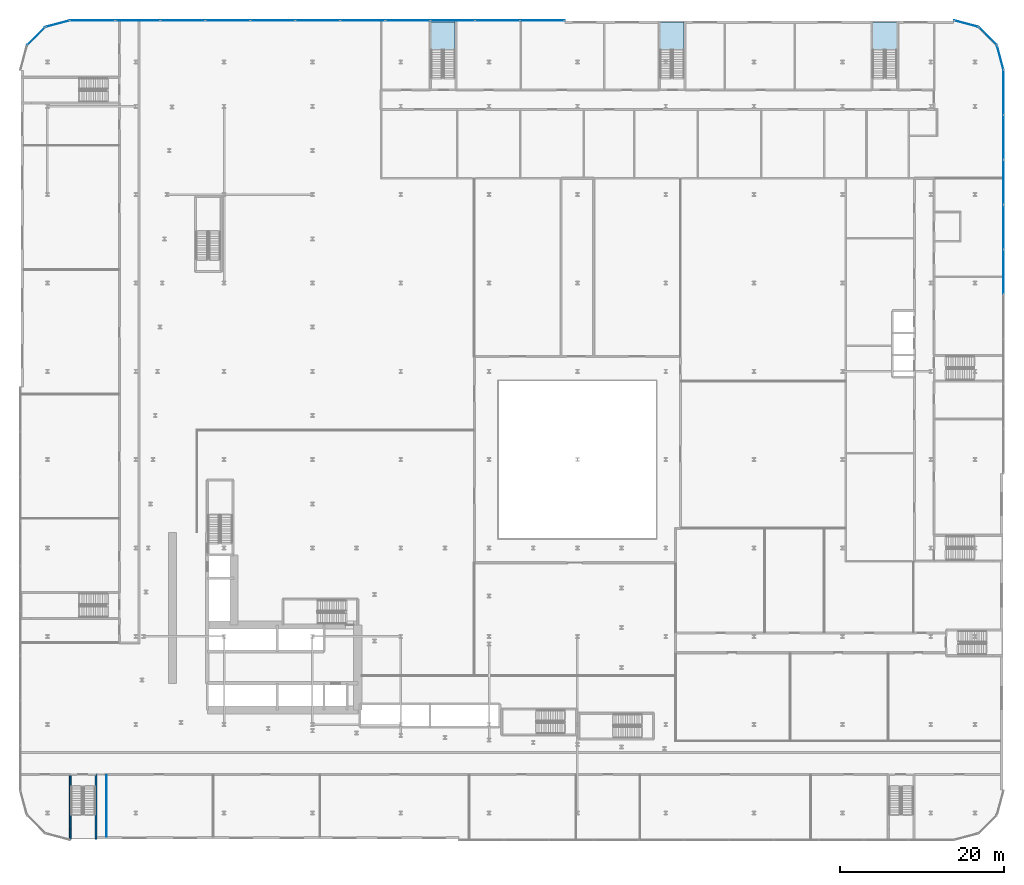
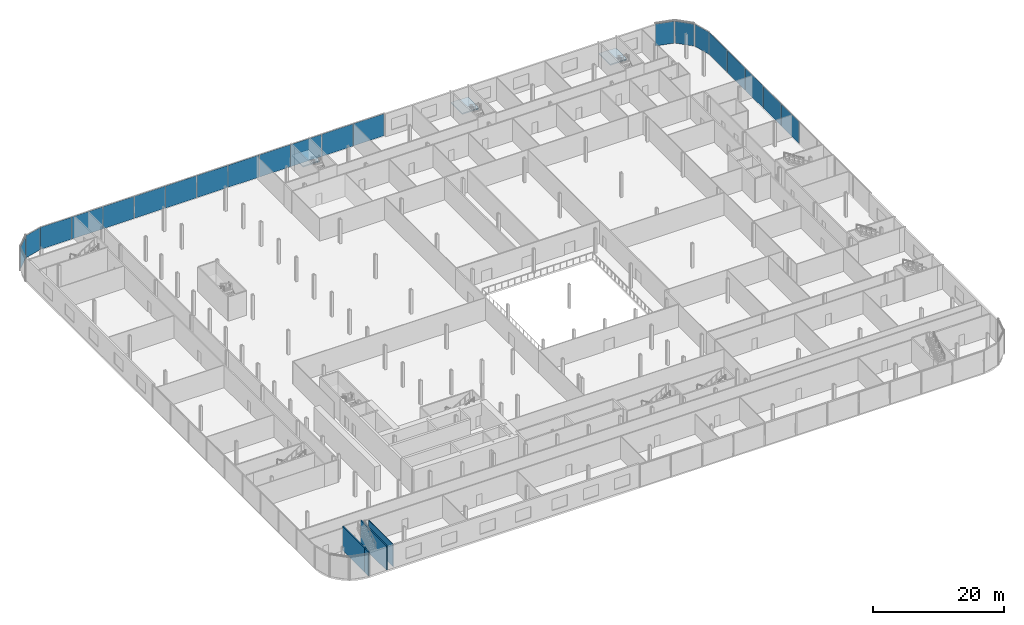
# One storey, part 25 of 47: 21 plates, 4 walls, 3 slabs, 10 elements without a shape of their own.
"""IFC4 building model written with IfcOpenShell, lengths in metres."""

from ifc_helpers import new_model, si_unit, direction, frame, frame_2d, origin, origin_2d, place, context, subcontext, project, spatial, polyline, rectangle, outline, extrude, material, layer, layer_set, type_object, element, aggregate, save


model = new_model("IFC4")

# Units and contexts
model_context = context("Model", 3, precision=1e-05, world=origin(), true_north=direction((0.0, 1.0)))
body_context = subcontext(model_context, "Body", "Model", "MODEL_VIEW")
ifc_project = project(units=[si_unit("LENGTHUNIT", "METRE"), si_unit("AREAUNIT", "SQUARE_METRE"), si_unit("VOLUMEUNIT", "CUBIC_METRE"), si_unit("PLANEANGLEUNIT", "RADIAN"), si_unit("MASSUNIT", "GRAM", prefix="KILO")], contexts=[model_context])

# Site, building, storey
site_placement = place(None, origin())
site = spatial("IfcSite", under=ifc_project, at=site_placement, CompositionType="ELEMENT")
building_placement = place(site_placement, origin())
building = spatial("IfcBuilding", under=site, at=building_placement, Name="Kheshtan School and Residences Tower", CompositionType="ELEMENT")
storey_placement = place(building_placement, frame((0.0, 0.0, 21.5)))
storey = spatial("IfcBuildingStorey", under=building, at=storey_placement, Name="L04", CompositionType="ELEMENT", Elevation=21.5)

# Curtain wall, plate
ifc_material_1 = material(Name="Clear low-e glass in thermally broken aluminium frame", Category="aluminium")
ifc_layer_1 = layer(ifc_material_1, 0.22509765625)
ifc_layer_set_1 = layer_set([ifc_layer_1], Name="Curtain wall CW-P")
curtain_wall_type = type_object("IfcCurtainWallType", Name="Curtain wall CW-P", PredefinedType="NOTDEFINED", material=ifc_layer_set_1)
curtain_wall_1_placement = place(storey_placement, origin())
curtain_wall_1 = element("IfcCurtainWall", 1, at=curtain_wall_1_placement, inside=storey, type_object=curtain_wall_type, Name="Curtain wall CWP2a", PredefinedType="NOTDEFINED")
ifc_layer_2 = layer(ifc_material_1, 0.035888671875)
ifc_layer_set_2 = layer_set([ifc_layer_2], Name="CW-P glass panel")
plate_type = type_object("IfcPlateType", Name="CW-P glass panel", PredefinedType="CURTAIN_PANEL", material=ifc_layer_set_2)
plate_1_placement = place(storey_placement, frame((13.831298828125, 108.168701171875, 0.0), z_axis=(0.0, 0.0, 1.0), x_axis=(0.707106781187, 0.707106781187, 0.0)))
plate_1 = element("IfcPlate", 2, at=plate_1_placement, type_object=plate_type, Name="CWP2a panel 1.1", PredefinedType="CURTAIN_PANEL", context=body_context, shape_type="SweptSolid", body=[
    extrude(rectangle(XDim=2.985595703125, YDim=0.035888671875, at=origin_2d()), origin(), (0.0, 0.0, 1.0), 4.110107421875),
])
aggregate(curtain_wall_1, [plate_1])

curtain_wall_2_placement = place(storey_placement, origin())
curtain_wall_2 = element("IfcCurtainWall", 3, at=curtain_wall_2_placement, inside=storey, type_object=curtain_wall_type, Name="Curtain wall CWP3a", PredefinedType="NOTDEFINED")
plate_2_placement = place(storey_placement, frame((16.47412109375, 109.694580078125, 0.0), z_axis=(0.0, 0.0, 1.0), x_axis=(0.965913556273, 0.258864833085, 0.0)))
plate_2 = element("IfcPlate", 4, at=plate_2_placement, type_object=plate_type, Name="CWP3a panel 1.1", PredefinedType="CURTAIN_PANEL", context=body_context, shape_type="SweptSolid", body=[
    extrude(rectangle(XDim=2.98583984375, YDim=0.035888671875, at=origin_2d()), origin(), (0.0, 0.0, 1.0), 4.110107421875),
])
aggregate(curtain_wall_2, [plate_2])

# Curtain wall, plates
curtain_wall_3_placement = place(storey_placement, origin())
curtain_wall_3 = element("IfcCurtainWall", 5, at=curtain_wall_3_placement, inside=storey, type_object=curtain_wall_type, Name="Curtain wall CWP4a", PredefinedType="NOTDEFINED")
plate_3_placement = place(storey_placement, frame((20.7216796875, 110.10009765625, 0.0), z_axis=(0.0, 0.0, 1.0), x_axis=(1.0, 0.0, 0.0)))
plate_3 = element("IfcPlate", 6, at=plate_3_placement, type_object=plate_type, Name="CWP4a panel 1.1", PredefinedType="CURTAIN_PANEL", context=body_context, shape_type="SweptSolid", body=[
    extrude(rectangle(XDim=5.4931640625, YDim=0.035888671875, at=origin_2d()), origin(), (0.0, 0.0, 1.0), 4.110107421875),
])
plate_4_placement = place(storey_placement, frame((26.247314453125, 110.10009765625, 0.0), z_axis=(0.0, 0.0, 1.0), x_axis=(1.0, 0.0, 0.0)))
plate_4 = element("IfcPlate", 7, at=plate_4_placement, type_object=plate_type, Name="CWP4a panel 2.1", PredefinedType="CURTAIN_PANEL", context=body_context, shape_type="SweptSolid", body=[
    extrude(rectangle(XDim=5.438232421875, YDim=0.035888671875, at=origin_2d()), origin(), (0.0, 0.0, 1.0), 4.110107421875),
])
plate_5_placement = place(storey_placement, frame((31.745361328125, 110.10009765625, 0.0), z_axis=(0.0, 0.0, 1.0), x_axis=(1.0, 0.0, 0.0)))
plate_5 = element("IfcPlate", 8, at=plate_5_placement, type_object=plate_type, Name="CWP4a panel 3.1", PredefinedType="CURTAIN_PANEL", context=body_context, shape_type="SweptSolid", body=[
    extrude(rectangle(XDim=5.438232421875, YDim=0.035888671875, at=origin_2d()), origin(), (0.0, 0.0, 1.0), 4.110107421875),
])
plate_6_placement = place(storey_placement, frame((37.24365234375, 110.10009765625, 0.0), z_axis=(0.0, 0.0, 1.0), x_axis=(1.0, 0.0, 0.0)))
plate_6 = element("IfcPlate", 9, at=plate_6_placement, type_object=plate_type, Name="CWP4a panel 4.1", PredefinedType="CURTAIN_PANEL", context=body_context, shape_type="SweptSolid", body=[
    extrude(rectangle(XDim=5.438232421875, YDim=0.035888671875, at=origin_2d()), origin(), (0.0, 0.0, 1.0), 4.110107421875),
])
plate_7_placement = place(storey_placement, frame((42.74169921875, 110.10009765625, 0.0), z_axis=(0.0, 0.0, 1.0), x_axis=(1.0, 0.0, 0.0)))
plate_7 = element("IfcPlate", 10, at=plate_7_placement, type_object=plate_type, Name="CWP4a panel 5.1", PredefinedType="CURTAIN_PANEL", context=body_context, shape_type="SweptSolid", body=[
    extrude(rectangle(XDim=5.438232421875, YDim=0.035888671875, at=origin_2d()), origin(), (0.0, 0.0, 1.0), 4.110107421875),
])
plate_8_placement = place(storey_placement, frame((48.239990234375, 110.10009765625, 0.0), z_axis=(0.0, 0.0, 1.0), x_axis=(1.0, 0.0, 0.0)))
plate_8 = element("IfcPlate", 11, at=plate_8_placement, type_object=plate_type, Name="CWP4a panel 6.1", PredefinedType="CURTAIN_PANEL", context=body_context, shape_type="SweptSolid", body=[
    extrude(rectangle(XDim=5.438232421875, YDim=0.035888671875, at=origin_2d()), origin(), (0.0, 0.0, 1.0), 4.110107421875),
])
plate_9_placement = place(storey_placement, frame((53.73828125, 110.10009765625, 0.0), z_axis=(0.0, 0.0, 1.0), x_axis=(1.0, 0.0, 0.0)))
plate_9 = element("IfcPlate", 12, at=plate_9_placement, type_object=plate_type, Name="CWP4a panel 7.1", PredefinedType="CURTAIN_PANEL", context=body_context, shape_type="SweptSolid", body=[
    extrude(rectangle(XDim=5.438232421875, YDim=0.035888671875, at=origin_2d()), origin(), (0.0, 0.0, 1.0), 4.110107421875),
])
plate_10_placement = place(storey_placement, frame((59.236328125, 110.10009765625, 0.0), z_axis=(0.0, 0.0, 1.0), x_axis=(1.0, 0.0, 0.0)))
plate_10 = element("IfcPlate", 13, at=plate_10_placement, type_object=plate_type, Name="CWP4a panel 8.1", PredefinedType="CURTAIN_PANEL", context=body_context, shape_type="SweptSolid", body=[
    extrude(rectangle(XDim=5.438232421875, YDim=0.035888671875, at=origin_2d()), origin(), (0.0, 0.0, 1.0), 4.110107421875),
])
plate_11_placement = place(storey_placement, frame((64.734619140625, 110.10009765625, 0.0), z_axis=(0.0, 0.0, 1.0), x_axis=(1.0, 0.0, 0.0)))
plate_11 = element("IfcPlate", 14, at=plate_11_placement, type_object=plate_type, Name="CWP4a panel 9.1", PredefinedType="CURTAIN_PANEL", context=body_context, shape_type="SweptSolid", body=[
    extrude(rectangle(XDim=5.438232421875, YDim=0.035888671875, at=origin_2d()), origin(), (0.0, 0.0, 1.0), 4.110107421875),
])
plate_12_placement = place(storey_placement, frame((70.232666015625, 110.10009765625, 0.0), z_axis=(0.0, 0.0, 1.0), x_axis=(1.0, 0.0, 0.0)))
plate_12 = element("IfcPlate", 15, at=plate_12_placement, type_object=plate_type, Name="CWP4a panel 10.1", PredefinedType="CURTAIN_PANEL", context=body_context, shape_type="SweptSolid", body=[
    extrude(rectangle(XDim=5.438232421875, YDim=0.035888671875, at=origin_2d()), origin(), (0.0, 0.0, 1.0), 4.110107421875),
])
plate_13_placement = place(storey_placement, frame((75.7158203125, 110.10009765625, 0.0), z_axis=(0.0, 0.0, 1.0), x_axis=(1.0, 0.0, 0.0)))
plate_13 = element("IfcPlate", 16, at=plate_13_placement, type_object=plate_type, Name="CWP4a panel 11.1", PredefinedType="CURTAIN_PANEL", context=body_context, shape_type="SweptSolid", body=[
    extrude(rectangle(XDim=5.408203125, YDim=0.035888671875, at=origin_2d()), origin(), (0.0, 0.0, 1.0), 4.110107421875),
])
aggregate(curtain_wall_3, [plate_3, plate_4, plate_5, plate_6, plate_7, plate_8, plate_9, plate_10, plate_11, plate_12, plate_13])

# Curtain wall, plate
curtain_wall_4_placement = place(storey_placement, origin())
curtain_wall_4 = element("IfcCurtainWall", 17, at=curtain_wall_4_placement, inside=storey, type_object=curtain_wall_type, Name="Curtain wall CWP5a", PredefinedType="NOTDEFINED")
plate_14_placement = place(storey_placement, frame((127.52587890625, 109.694580078125, 0.0), z_axis=(0.0, 0.0, 1.0), x_axis=(0.965913556273, -0.258864833085, 0.0)))
plate_14 = element("IfcPlate", 18, at=plate_14_placement, type_object=plate_type, Name="CWP5a panel 1.1", PredefinedType="CURTAIN_PANEL", context=body_context, shape_type="SweptSolid", body=[
    extrude(rectangle(XDim=2.98583984375, YDim=0.035888671875, at=origin_2d()), origin(), (0.0, 0.0, 1.0), 4.110107421875),
])
aggregate(curtain_wall_4, [plate_14])

curtain_wall_5_placement = place(storey_placement, origin())
curtain_wall_5 = element("IfcCurtainWall", 19, at=curtain_wall_5_placement, inside=storey, type_object=curtain_wall_type, Name="Curtain wall CWP6a", PredefinedType="NOTDEFINED")
plate_15_placement = place(storey_placement, frame((130.168701171875, 108.168701171875, 0.0), z_axis=(0.0, 0.0, 1.0), x_axis=(0.707106781187, -0.707106781187, 0.0)))
plate_15 = element("IfcPlate", 20, at=plate_15_placement, type_object=plate_type, Name="CWP6a panel 1.1", PredefinedType="CURTAIN_PANEL", context=body_context, shape_type="SweptSolid", body=[
    extrude(rectangle(XDim=2.985595703125, YDim=0.035888671875, at=origin_2d()), origin(), (0.0, 0.0, 1.0), 4.110107421875),
])
aggregate(curtain_wall_5, [plate_15])

curtain_wall_6_placement = place(storey_placement, origin())
curtain_wall_6 = element("IfcCurtainWall", 21, at=curtain_wall_6_placement, inside=storey, type_object=curtain_wall_type, Name="Curtain wall CWP7a", PredefinedType="NOTDEFINED")
plate_16_placement = place(storey_placement, frame((131.694580078125, 105.52587890625, 0.0), z_axis=(0.0, 0.0, 1.0), x_axis=(0.258864833085, -0.965913556273, 0.0)))
plate_16 = element("IfcPlate", 22, at=plate_16_placement, type_object=plate_type, Name="CWP7a panel 1.1", PredefinedType="CURTAIN_PANEL", context=body_context, shape_type="SweptSolid", body=[
    extrude(rectangle(XDim=2.98583984375, YDim=0.035888671875, at=origin_2d()), origin(), (0.0, 0.0, 1.0), 4.110107421875),
])
aggregate(curtain_wall_6, [plate_16])

# Curtain wall, plates
curtain_wall_7_placement = place(storey_placement, origin())
curtain_wall_7 = element("IfcCurtainWall", 23, at=curtain_wall_7_placement, inside=storey, type_object=curtain_wall_type, Name="Curtain wall CWP8a", PredefinedType="NOTDEFINED")
plate_17_placement = place(storey_placement, frame((132.10009765625, 101.28955078125, 0.0), z_axis=(0.0, 0.0, 1.0), x_axis=(0.0, -1.0, 0.0)))
plate_17 = element("IfcPlate", 24, at=plate_17_placement, type_object=plate_type, Name="CWP8a panel 1.1", PredefinedType="CURTAIN_PANEL", context=body_context, shape_type="SweptSolid", body=[
    extrude(rectangle(XDim=5.470458984375, YDim=0.035888671875, at=origin_2d()), origin(), (0.0, 0.0, 1.0), 4.110107421875),
])
plate_18_placement = place(storey_placement, frame((132.10009765625, 95.78662109375, 0.0), z_axis=(0.0, 0.0, 1.0), x_axis=(0.0, -1.0, 0.0)))
plate_18 = element("IfcPlate", 25, at=plate_18_placement, type_object=plate_type, Name="CWP8a panel 2.1", PredefinedType="CURTAIN_PANEL", context=body_context, shape_type="SweptSolid", body=[
    extrude(rectangle(XDim=5.41552734375, YDim=0.035888671875, at=origin_2d()), origin(), (0.0, 0.0, 1.0), 4.110107421875),
])
plate_19_placement = place(storey_placement, frame((132.10009765625, 90.31103515625, 0.0), z_axis=(0.0, 0.0, 1.0), x_axis=(0.0, -1.0, 0.0)))
plate_19 = element("IfcPlate", 26, at=plate_19_placement, type_object=plate_type, Name="CWP8a panel 3.1", PredefinedType="CURTAIN_PANEL", context=body_context, shape_type="SweptSolid", body=[
    extrude(rectangle(XDim=5.41552734375, YDim=0.035888671875, at=origin_2d()), origin(), (0.0, 0.0, 1.0), 4.110107421875),
])
plate_20_placement = place(storey_placement, frame((132.10009765625, 84.83544921875, 0.0), z_axis=(0.0, 0.0, 1.0), x_axis=(0.0, -1.0, 0.0)))
plate_20 = element("IfcPlate", 27, at=plate_20_placement, type_object=plate_type, Name="CWP8a panel 4.1", PredefinedType="CURTAIN_PANEL", context=body_context, shape_type="SweptSolid", body=[
    extrude(rectangle(XDim=5.41552734375, YDim=0.035888671875, at=origin_2d()), origin(), (0.0, 0.0, 1.0), 4.110107421875),
])
plate_21_placement = place(storey_placement, frame((132.10009765625, 79.360107421875, 0.0), z_axis=(0.0, 0.0, 1.0), x_axis=(0.0, -1.0, 0.0)))
plate_21 = element("IfcPlate", 28, at=plate_21_placement, type_object=plate_type, Name="CWP8a panel 5.1", PredefinedType="CURTAIN_PANEL", context=body_context, shape_type="SweptSolid", body=[
    extrude(rectangle(XDim=5.41552734375, YDim=0.035888671875, at=origin_2d()), origin(), (0.0, 0.0, 1.0), 4.110107421875),
])
aggregate(curtain_wall_7, [plate_17, plate_18, plate_19, plate_20, plate_21])

# Stair, slab
ifc_material_2 = material(Name="Concrete C40/50", Category="concrete")
stair_type = type_object("IfcStairType", Name="Exit stair, half-turn", PredefinedType="HALF_TURN_STAIR", material=ifc_material_2)
stair_1_placement = place(storey_placement, origin())
stair_1 = element("IfcStair", 29, at=stair_1_placement, inside=storey, type_object=stair_type, Name="L04 School Exit Stair 062-102", PredefinedType="HALF_TURN_STAIR")
ifc_layer_3 = layer(ifc_material_2, 0.199951171875)
ifc_layer_set_3 = layer_set([ifc_layer_3], Name="Stair landing 200 Concrete C40/50")
slab_type = type_object("IfcSlabType", Name="Stair landing 200 Concrete C40/50", PredefinedType="LANDING", material=ifc_layer_set_3)
slab_1_placement = place(storey_placement, frame((0.0, 0.0, 2.050048828125)))
slab_1 = element("IfcSlab", 30, at=slab_1_placement, type_object=slab_type, Name="PS-062-102 landing 1", PredefinedType="LANDING", context=body_context, shape_type="SweptSolid", body=[
    extrude(outline(polyline([(65.050048828125, 106.4599609375), (65.050048828125, 109.89990234375), (62.10009765625, 109.89990234375), (62.10009765625, 106.4599609375), (65.050048828125, 106.4599609375)])), origin(), (0.0, 0.0, 1.0), 0.199951171875),
])
aggregate(stair_1, [slab_1])

stair_2_placement = place(storey_placement, origin())
stair_2 = element("IfcStair", 31, at=stair_2_placement, inside=storey, type_object=stair_type, Name="L04 School Exit Stair 090-102", PredefinedType="HALF_TURN_STAIR")
slab_2_placement = place(storey_placement, frame((0.0, 0.0, 2.050048828125)))
slab_2 = element("IfcSlab", 32, at=slab_2_placement, type_object=slab_type, Name="PS-090-102 landing 1", PredefinedType="LANDING", context=body_context, shape_type="SweptSolid", body=[
    extrude(outline(polyline([(93.050048828125, 106.4599609375), (93.050048828125, 109.89990234375), (90.10009765625, 109.89990234375), (90.10009765625, 106.4599609375), (93.050048828125, 106.4599609375)])), origin(), (0.0, 0.0, 1.0), 0.199951171875),
])
aggregate(stair_2, [slab_2])

stair_3_placement = place(storey_placement, origin())
stair_3 = element("IfcStair", 33, at=stair_3_placement, inside=storey, type_object=stair_type, Name="L04 School Exit Stair 116-102", PredefinedType="HALF_TURN_STAIR")
slab_3_placement = place(storey_placement, frame((0.0, 0.0, 2.050048828125)))
slab_3 = element("IfcSlab", 34, at=slab_3_placement, type_object=slab_type, Name="PS-116-102 landing 1", PredefinedType="LANDING", context=body_context, shape_type="SweptSolid", body=[
    extrude(outline(polyline([(119.050048828125, 106.4599609375), (119.050048828125, 109.89990234375), (116.10009765625, 109.89990234375), (116.10009765625, 106.4599609375), (119.050048828125, 106.4599609375)])), origin(), (0.0, 0.0, 1.0), 0.199951171875),
])
aggregate(stair_3, [slab_3])

# Walls
ifc_material_3 = material(Name="Gypsum board on steel studs", Category="steel")
ifc_layer_4 = layer(ifc_material_3, 0.10009765625)
ifc_layer_set_4 = layer_set([ifc_layer_4], Name="Gypsum partition 100")
wall_type_1 = type_object("IfcWallType", Name="Gypsum partition 100", PredefinedType="PARTITIONING", material=ifc_layer_set_4)
wall_1_placement = place(storey_placement, frame((22.43505859375, 10.299072265625, 0.0), z_axis=(0.0, 0.0, 1.0), x_axis=(0.0, 1.0, 0.0)))
element("IfcWall", 35, at=wall_1_placement, inside=storey, type_object=wall_type_1, Name="Partition L04-009", PredefinedType="PARTITIONING", context=body_context, shape_type="SweptSolid", body=[
    extrude(rectangle(XDim=7.5009765625, YDim=0.10009765625, at=frame_2d((3.75048828125, 0.0))), origin(), (0.0, 0.0, 1.0), 4.179931640625),
])
ifc_layer_5 = layer(ifc_material_2, 0.199951171875)
ifc_layer_set_5 = layer_set([ifc_layer_5], Name="Stair enclosure wall 200 Concrete C40/50")
wall_type_2 = type_object("IfcWallType", Name="Stair enclosure wall 200 Concrete C40/50", PredefinedType="SHEAR", material=ifc_layer_set_5)
wall_2_placement = place(storey_placement, frame((18.0, 10.0, 0.0), z_axis=(0.0, 0.0, 1.0), x_axis=(0.0, 1.0, 0.0)))
element("IfcWall", 36, at=wall_2_placement, inside=storey, type_object=wall_type_2, Name="Stair enclosure wall", PredefinedType="SHEAR", context=body_context, shape_type="SweptSolid", body=[
    extrude(rectangle(XDim=1.199951171875, YDim=0.199951171875, at=frame_2d((0.60009765625, 0.0))), origin(), (0.0, 0.0, 1.0), 4.5),
])
wall_3_placement = place(storey_placement, frame((18.0, 11.199951171875, 0.0), z_axis=(0.0, 0.0, 1.0), x_axis=(0.0, 1.0, 0.0)))
element("IfcWall", 37, at=wall_3_placement, inside=storey, type_object=wall_type_2, Name="Stair enclosure wall", PredefinedType="SHEAR", context=body_context, shape_type="SweptSolid", body=[
    extrude(rectangle(XDim=6.699951171875, YDim=0.199951171875, at=frame_2d((3.35009765625, 0.0))), origin(), (0.0, 0.0, 1.0), 4.5),
])
wall_4_placement = place(storey_placement, frame((21.14990234375, 10.0, 0.0), z_axis=(0.0, 0.0, 1.0), x_axis=(0.0, 1.0, 0.0)))
element("IfcWall", 38, at=wall_4_placement, inside=storey, type_object=wall_type_2, Name="Stair enclosure wall", PredefinedType="SHEAR", context=body_context, shape_type="SweptSolid", body=[
    extrude(rectangle(XDim=7.89990234375, YDim=0.199951171875, at=frame_2d((3.949951171875, 0.0))), origin(), (0.0, 0.0, 1.0), 4.5),
])

save(model, "model.ifc")
